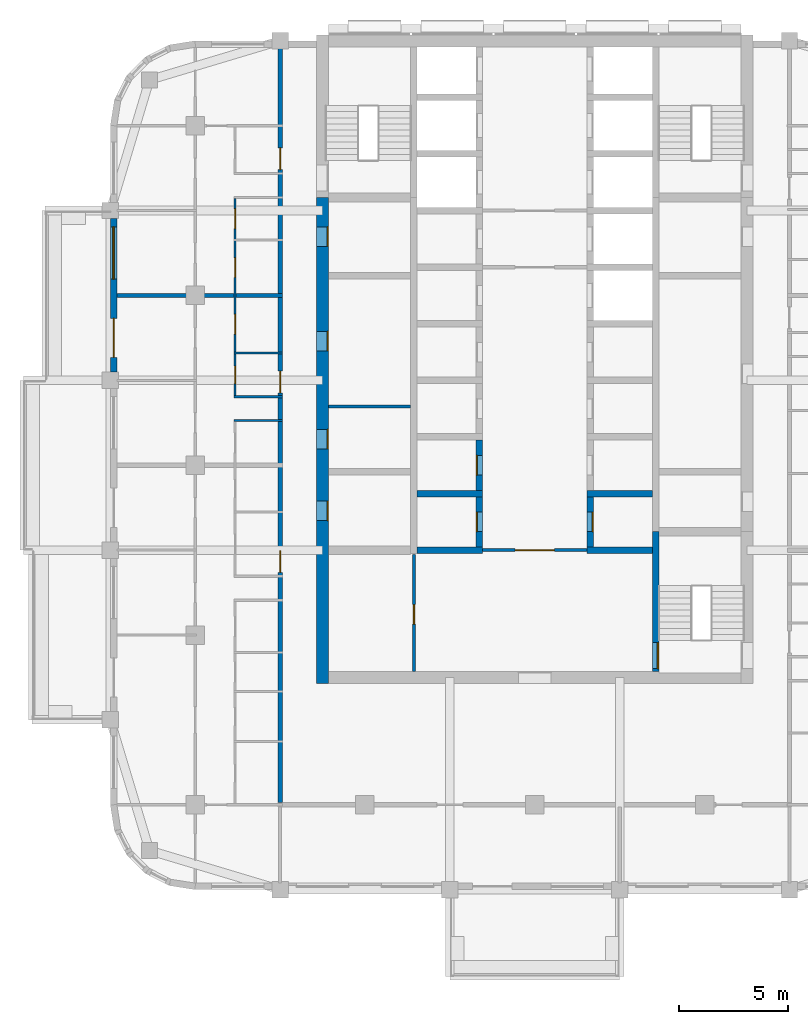
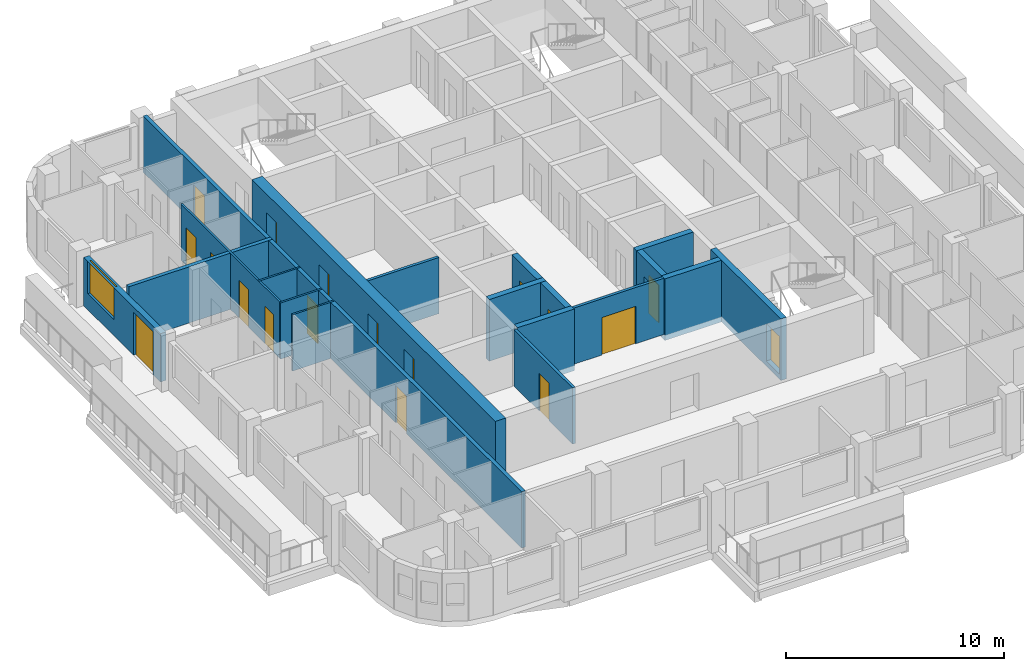
# One storey, part 4 of 13: 19 walls, 18 doors, 1 window, 19 openings.
"""IFC4 building model written with IfcOpenShell, lengths in metres."""

from ifc_helpers import new_model, si_unit, direction, frame, frame_2d, origin, place, context, subcontext, project, spatial, rectangle, extrude, material, layer, layer_set, type_object, element, fill, save


model = new_model("IFC4")

# Units and contexts
model_context = context("Model", 3, precision=1e-05, world=origin(), true_north=direction((0.0, 1.0)))
body_context = subcontext(model_context, "Body", "Model", "MODEL_VIEW")
ifc_project = project(units=[si_unit("LENGTHUNIT", "METRE"), si_unit("AREAUNIT", "SQUARE_METRE"), si_unit("VOLUMEUNIT", "CUBIC_METRE"), si_unit("PLANEANGLEUNIT", "RADIAN"), si_unit("MASSUNIT", "GRAM", prefix="KILO")], contexts=[model_context])

# Site, building, storey
site_placement = place(None, origin())
site = spatial("IfcSite", under=ifc_project, at=site_placement, CompositionType="ELEMENT")
building_placement = place(site_placement, origin())
building = spatial("IfcBuilding", under=site, at=building_placement, Name="Ludao Terraces", CompositionType="ELEMENT")
storey_placement = place(building_placement, frame((0.0, 0.0, 179.199951171875)))
storey = spatial("IfcBuildingStorey", under=building, at=storey_placement, Name="L48", CompositionType="ELEMENT", Elevation=179.199951171875)

# Wall, openings, doors
ifc_material_1 = material(Name="Concrete C60", Category="concrete")
ifc_layer_1 = layer(ifc_material_1, 0.550048828125)
ifc_layer_set_1 = layer_set([ifc_layer_1], Name="Core wall 550 C60")
wall_type_1 = type_object("IfcWallType", Name="Core wall 550 C60", PredefinedType="SOLIDWALL", material=ifc_layer_set_1)
wall_1_placement = place(storey_placement, frame((75.25, 54.97509765625, -0.300048828125), z_axis=(0.0, 0.0, 1.0), x_axis=(0.0, 1.0, 0.0)))
wall_1 = element("IfcWall", 1, at=wall_1_placement, inside=storey, type_object=wall_type_1, Name="Core wall L48 outer-W", PredefinedType="SOLIDWALL", context=body_context, shape_type="SweptSolid", body=[
    extrude(rectangle(XDim=22.324951171875, YDim=0.550048828125, at=frame_2d((11.16259765625, 0.0))), origin(), (0.0, 0.0, 1.0), 3.4501953125),
])
opening_1_placement = place(wall_1_placement, frame((7.47509765625, 0.0, 0.300048828125)))
opening_1 = element("IfcOpeningElement", 2, at=opening_1_placement, cuts=wall_1, Name="Opening R17-032", PredefinedType="OPENING", context=body_context, shape_type="SweptSolid", body=[
    extrude(rectangle(XDim=0.89990234375, YDim=2.10009765625, at=frame_2d((0.449951171875, 1.050048828125))), frame((0.0, 0.28515625, 0.0), z_axis=(0.0, -1.0, 0.0), x_axis=(1.0, 0.0, 0.0)), (0.0, 0.0, 1.0), 0.570068359375),
])
opening_2_placement = place(wall_1_placement, frame((10.77490234375, 0.0, 0.300048828125)))
opening_2 = element("IfcOpeningElement", 3, at=opening_2_placement, cuts=wall_1, Name="Opening R17-041", PredefinedType="OPENING", context=body_context, shape_type="SweptSolid", body=[
    extrude(rectangle(XDim=0.89990234375, YDim=2.10009765625, at=frame_2d((0.449951171875, 1.050048828125))), frame((0.0, 0.28515625, 0.0), z_axis=(0.0, -1.0, 0.0), x_axis=(1.0, 0.0, 0.0)), (0.0, 0.0, 1.0), 0.570068359375),
])
opening_3_placement = place(wall_1_placement, frame((15.27490234375, 0.0, 0.300048828125)))
opening_3 = element("IfcOpeningElement", 4, at=opening_3_placement, cuts=wall_1, Name="Opening R17-051", PredefinedType="OPENING", context=body_context, shape_type="SweptSolid", body=[
    extrude(rectangle(XDim=0.89990234375, YDim=2.10009765625, at=frame_2d((0.449951171875, 1.050048828125))), frame((0.0, 0.28515625, 0.0), z_axis=(0.0, -1.0, 0.0), x_axis=(1.0, 0.0, 0.0)), (0.0, 0.0, 1.0), 0.570068359375),
])
opening_4_placement = place(wall_1_placement, frame((20.074951171875, 0.0, 0.300048828125)))
opening_4 = element("IfcOpeningElement", 5, at=opening_4_placement, cuts=wall_1, Name="Opening R17-066", PredefinedType="OPENING", context=body_context, shape_type="SweptSolid", body=[
    extrude(rectangle(XDim=0.89990234375, YDim=2.10009765625, at=frame_2d((0.449951171875, 1.050048828125))), frame((0.0, 0.28515625, 0.0), z_axis=(0.0, -1.0, 0.0), x_axis=(1.0, 0.0, 0.0)), (0.0, 0.0, 1.0), 0.570068359375),
])
ifc_material_2 = material(Name="Steel Q235", Category="steel")
door_type_1 = type_object("IfcDoorType", Name="INT Riser door 900", OperationType="SINGLE_SWING_LEFT", PredefinedType="DOOR", material=ifc_material_2)
door_1_placement = place(opening_1_placement, origin())
door_1 = element("IfcDoor", 6, at=door_1_placement, inside=storey, type_object=door_type_1, Name="DOOR 032", OperationType="SINGLE_SWING_RIGHT", OverallHeight=2.10009765625, OverallWidth=0.89990234375, PredefinedType="DOOR", context=body_context, shape_type="SweptSolid", body=[
    extrude(rectangle(XDim=0.89990234375, YDim=2.10009765625, at=frame_2d((0.449951171875, 1.050048828125))), frame((0.0, -0.2099609375, 0.0), z_axis=(0.0, -1.0, 0.0), x_axis=(1.0, 0.0, 0.0)), (0.0, 0.0, 1.0), 0.050048828125),
])
fill(opening_1, door_1)
door_2_placement = place(opening_4_placement, origin())
door_2 = element("IfcDoor", 7, at=door_2_placement, inside=storey, type_object=door_type_1, Name="DOOR 066", OperationType="SINGLE_SWING_RIGHT", OverallHeight=2.10009765625, OverallWidth=0.89990234375, PredefinedType="DOOR", context=body_context, shape_type="SweptSolid", body=[
    extrude(rectangle(XDim=0.89990234375, YDim=2.10009765625, at=frame_2d((0.449951171875, 1.050048828125))), frame((0.0, -0.2099609375, 0.0), z_axis=(0.0, -1.0, 0.0), x_axis=(1.0, 0.0, 0.0)), (0.0, 0.0, 1.0), 0.050048828125),
])
fill(opening_4, door_2)
ifc_material_3 = material(Name="Timber door leaf", Category="wood")
door_type_2 = type_object("IfcDoorType", Name="INT Room door 900", OperationType="SINGLE_SWING_LEFT", PredefinedType="DOOR", material=ifc_material_3)
door_3_placement = place(opening_2_placement, origin())
door_3 = element("IfcDoor", 8, at=door_3_placement, inside=storey, type_object=door_type_2, Name="DOOR 041", OperationType="SINGLE_SWING_RIGHT", OverallHeight=2.10009765625, OverallWidth=0.89990234375, PredefinedType="DOOR", context=body_context, shape_type="SweptSolid", body=[
    extrude(rectangle(XDim=0.89990234375, YDim=2.10009765625, at=frame_2d((0.449951171875, 1.050048828125))), frame((0.0, -0.2099609375, 0.0), z_axis=(0.0, -1.0, 0.0), x_axis=(1.0, 0.0, 0.0)), (0.0, 0.0, 1.0), 0.050048828125),
])
fill(opening_2, door_3)
door_4_placement = place(opening_3_placement, origin())
door_4 = element("IfcDoor", 9, at=door_4_placement, inside=storey, type_object=door_type_2, Name="DOOR 051", OperationType="SINGLE_SWING_LEFT", OverallHeight=2.10009765625, OverallWidth=0.89990234375, PredefinedType="DOOR", context=body_context, shape_type="SweptSolid", body=[
    extrude(rectangle(XDim=0.89990234375, YDim=2.10009765625, at=frame_2d((0.449951171875, 1.050048828125))), frame((0.0, -0.2099609375, 0.0), z_axis=(0.0, -1.0, 0.0), x_axis=(1.0, 0.0, 0.0)), (0.0, 0.0, 1.0), 0.050048828125),
])
fill(opening_3, door_4)

# Wall, openings, door, window
ifc_material_4 = material(Name="Granite cladding", Category="masonry")
ifc_layer_2 = layer(ifc_material_4, 0.0400390625, Category="stone")
ifc_material_5 = material(Name="Mineral wool")
ifc_layer_3 = layer(ifc_material_5, 0.06005859375)
ifc_material_6 = material(Name="Concrete C40", Category="concrete")
ifc_layer_4 = layer(ifc_material_6, 0.199951171875, Category="concrete")
ifc_layer_set_2 = layer_set([ifc_layer_2, ifc_layer_3, ifc_layer_4], Name="ENV Stone-clad wall 300")
wall_type_2 = type_object("IfcWallType", Name="ENV Stone-clad wall 300", PredefinedType="SOLIDWALL", material=ifc_layer_set_2)
wall_2_placement = place(storey_placement, frame((65.64990234375, 69.27490234375, 0.0), z_axis=(0.0, 0.0, 1.0), x_axis=(0.0, 1.0, 0.0)))
wall_2 = element("IfcWall", 10, at=wall_2_placement, inside=storey, type_object=wall_type_2, Name="EW-L48-W4", PredefinedType="SOLIDWALL", context=body_context, shape_type="SweptSolid", body=[
    extrude(rectangle(XDim=7.050048828125, YDim=0.300048828125, at=frame_2d((3.52490234375, 0.0))), origin(), (0.0, 0.0, 1.0), 2.699951171875),
])
opening_5_placement = place(wall_2_placement, frame((0.675048828125, 0.0, 0.0)))
opening_5 = element("IfcOpeningElement", 11, at=opening_5_placement, cuts=wall_2, Name="Opening BD", PredefinedType="OPENING", context=body_context, shape_type="SweptSolid", body=[
    extrude(rectangle(XDim=1.800048828125, YDim=2.39990234375, at=frame_2d((0.89990234375, 1.199951171875))), frame((0.0, 0.16015625, 0.0), z_axis=(0.0, -1.0, 0.0), x_axis=(1.0, 0.0, 0.0)), (0.0, 0.0, 1.0), 0.320068359375),
])
opening_6_placement = place(wall_2_placement, frame((4.27490234375, 0.0, 0.89990234375)))
opening_6 = element("IfcOpeningElement", 12, at=opening_6_placement, cuts=wall_2, Name="Opening W1", PredefinedType="OPENING", context=body_context, shape_type="SweptSolid", body=[
    extrude(rectangle(XDim=2.39990234375, YDim=1.800048828125, at=frame_2d((1.199951171875, 0.89990234375))), frame((0.0, 0.16015625, 0.0), z_axis=(0.0, -1.0, 0.0), x_axis=(1.0, 0.0, 0.0)), (0.0, 0.0, 1.0), 0.320068359375),
])
ifc_material_7 = material(Name="Aluminium glazed door", Category="aluminium")
ifc_layer_5 = layer(ifc_material_7, 0.06005859375)
ifc_layer_set_3 = layer_set([ifc_layer_5], Name="ENV Balcony door BD 1800x2400")
door_type_3 = type_object("IfcDoorType", Name="ENV Balcony door BD 1800x2400", OperationType="DOUBLE_DOOR_SINGLE_SWING", PredefinedType="DOOR", material=ifc_layer_set_3)
door_5_placement = place(opening_5_placement, origin())
door_5 = element("IfcDoor", 13, at=door_5_placement, inside=storey, type_object=door_type_3, Name="BD-L48-W4-1", OperationType="DOUBLE_DOOR_SINGLE_SWING", OverallHeight=2.39990234375, OverallWidth=1.800048828125, PredefinedType="DOOR", context=body_context, shape_type="SweptSolid", body=[
    extrude(rectangle(XDim=1.800048828125, YDim=2.39990234375, at=frame_2d((0.89990234375, 1.199951171875))), frame((0.0, 0.02490234375, 0.0), z_axis=(0.0, -1.0, 0.0), x_axis=(1.0, 0.0, 0.0)), (0.0, 0.0, 1.0), 0.050048828125),
])
fill(opening_5, door_5)
ifc_material_8 = material(Name="Clear glass in aluminium frame", Category="aluminium")
ifc_layer_6 = layer(ifc_material_8, 0.06005859375)
ifc_layer_set_4 = layer_set([ifc_layer_6], Name="ENV Window W1 2400x1800")
window_type = type_object("IfcWindowType", Name="ENV Window W1 2400x1800", PartitioningType="DOUBLE_PANEL_VERTICAL", PredefinedType="WINDOW", material=ifc_layer_set_4)
window_placement = place(opening_6_placement, origin())
window = element("IfcWindow", 14, at=window_placement, inside=storey, type_object=window_type, Name="W-L48-W4-2", OverallHeight=1.800048828125, OverallWidth=2.39990234375, PartitioningType="DOUBLE_PANEL_VERTICAL", PredefinedType="WINDOW", context=body_context, shape_type="SweptSolid", body=[
    extrude(rectangle(XDim=2.39990234375, YDim=1.800048828125, at=frame_2d((1.199951171875, 0.89990234375))), frame((0.0, 0.030029296875, 0.0), z_axis=(0.0, -1.0, 0.0), x_axis=(1.0, 0.0, 0.0)), (0.0, 0.0, 1.0), 0.06005859375),
])
fill(opening_6, window)

# Wall, opening, door
ifc_material_9 = material(Name="Fire-rated gypsum plasterboard", Category="gypsum")
ifc_layer_7 = layer(ifc_material_9, 0.012451171875, Category="gypsum")
ifc_layer_8 = layer(ifc_material_5, 0.10009765625, Name="insulation")
ifc_layer_9 = layer(ifc_material_2, 0.02490234375, Name="stud")
ifc_layer_10 = layer(ifc_material_9, 0.012451171875, Category="gypsum")
ifc_layer_set_5 = layer_set([ifc_layer_7, ifc_layer_8, ifc_layer_9, ifc_layer_10], Name="INT Core partition 150")
wall_type_3 = type_object("IfcWallType", Name="INT Core partition 150", PredefinedType="PARTITIONING", material=ifc_layer_set_5)
wall_3_placement = place(storey_placement, frame((82.60009765625, 61.10009765625, 0.0), z_axis=(0.0, 0.0, 1.0), x_axis=(1.0, 0.0, 0.0)))
wall_3 = element("IfcWall", 15, at=wall_3_placement, inside=storey, type_object=wall_type_3, Name="PW-L48-PW017", PredefinedType="PARTITIONING", context=body_context, shape_type="SweptSolid", body=[
    extrude(rectangle(XDim=4.800048828125, YDim=0.14990234375, at=frame_2d((2.39990234375, 0.0))), origin(), (0.0, 0.0, 1.0), 3.150146484375),
])
opening_7_placement = place(wall_3_placement, frame((1.5, 0.0, 0.0)))
opening_7 = element("IfcOpeningElement", 16, at=opening_7_placement, cuts=wall_3, Name="Opening R17-027", PredefinedType="OPENING", context=body_context, shape_type="SweptSolid", body=[
    extrude(rectangle(XDim=1.800048828125, YDim=2.10009765625, at=frame_2d((0.89990234375, 1.050048828125))), frame((0.0, 0.0849609375, 0.0), z_axis=(0.0, -1.0, 0.0), x_axis=(1.0, 0.0, 0.0)), (0.0, 0.0, 1.0), 0.169921875),
])
door_type_4 = type_object("IfcDoorType", Name="INT Fire lobby door 1800", OperationType="DOUBLE_DOOR_SINGLE_SWING", PredefinedType="DOOR", material=ifc_material_2)
door_6_placement = place(opening_7_placement, origin())
door_6 = element("IfcDoor", 17, at=door_6_placement, inside=storey, type_object=door_type_4, Name="DOOR 027", OperationType="DOUBLE_DOOR_SINGLE_SWING", OverallHeight=2.10009765625, OverallWidth=1.800048828125, PredefinedType="DOOR", context=body_context, shape_type="SweptSolid", body=[
    extrude(rectangle(XDim=1.800048828125, YDim=2.10009765625, at=frame_2d((0.89990234375, 1.050048828125))), frame((0.0, 0.02490234375, 0.0), z_axis=(0.0, -1.0, 0.0), x_axis=(1.0, 0.0, 0.0)), (0.0, 0.0, 1.0), 0.050048828125),
])
fill(opening_7, door_6)

# Wall
wall_4_placement = place(storey_placement, frame((75.525146484375, 67.699951171875, 0.0), z_axis=(0.0, 0.0, 1.0), x_axis=(1.0, 0.0, 0.0)))
element("IfcWall", 18, at=wall_4_placement, inside=storey, type_object=wall_type_3, Name="PW-L48-PW024", PredefinedType="PARTITIONING", context=body_context, shape_type="SweptSolid", body=[
    extrude(rectangle(XDim=3.77490234375, YDim=0.14990234375, at=frame_2d((1.887451171875, 0.0))), origin(), (0.0, 0.0, 1.0), 3.150146484375),
])

# Wall, opening, door
wall_5_placement = place(storey_placement, frame((79.449951171875, 55.525146484375, 0.0), z_axis=(0.0, 0.0, 1.0), x_axis=(0.0, 1.0, 0.0)))
wall_5 = element("IfcWall", 19, at=wall_5_placement, inside=storey, type_object=wall_type_3, Name="PW-L48-PW053", PredefinedType="PARTITIONING", context=body_context, shape_type="SweptSolid", body=[
    extrude(rectangle(XDim=5.375, YDim=0.14990234375, at=frame_2d((2.6875, 0.0))), origin(), (0.0, 0.0, 1.0), 3.150146484375),
])
opening_8_placement = place(wall_5_placement, frame((2.175048828125, 0.0, 0.0)))
opening_8 = element("IfcOpeningElement", 20, at=opening_8_placement, cuts=wall_5, Name="Opening R17-021", PredefinedType="OPENING", context=body_context, shape_type="SweptSolid", body=[
    extrude(rectangle(XDim=0.89990234375, YDim=2.10009765625, at=frame_2d((0.449951171875, 1.050048828125))), frame((0.0, 0.0849609375, 0.0), z_axis=(0.0, -1.0, 0.0), x_axis=(1.0, 0.0, 0.0)), (0.0, 0.0, 1.0), 0.169921875),
])
door_7_placement = place(opening_8_placement, origin())
door_7 = element("IfcDoor", 21, at=door_7_placement, inside=storey, type_object=door_type_2, Name="DOOR 021", OperationType="SINGLE_SWING_LEFT", OverallHeight=2.10009765625, OverallWidth=0.89990234375, PredefinedType="DOOR", context=body_context, shape_type="SweptSolid", body=[
    extrude(rectangle(XDim=0.89990234375, YDim=2.10009765625, at=frame_2d((0.449951171875, 1.050048828125))), frame((0.0, 0.02490234375, 0.0), z_axis=(0.0, -1.0, 0.0), x_axis=(1.0, 0.0, 0.0)), (0.0, 0.0, 1.0), 0.050048828125),
])
fill(opening_8, door_7)

# Wall, openings, doors
ifc_material_10 = material(Name="Autoclaved aerated concrete block B06 A3.5", Category="concrete")
ifc_layer_11 = layer(ifc_material_10, 0.199951171875)
ifc_layer_set_6 = layer_set([ifc_layer_11], Name="INT Entrance wall 200")
wall_type_4 = type_object("IfcWallType", Name="INT Entrance wall 200", PredefinedType="PARTITIONING", material=ifc_layer_set_6)
wall_6_placement = place(storey_placement, frame((73.300048828125, 49.5, 0.0), z_axis=(0.0, 0.0, 1.0), x_axis=(0.0, 1.0, 0.0)))
wall_6 = element("IfcWall", 22, at=wall_6_placement, inside=storey, type_object=wall_type_4, Name="PW-L48-PW052", PredefinedType="PARTITIONING", context=body_context, shape_type="SweptSolid", body=[
    extrude(rectangle(XDim=34.7001953125, YDim=0.199951171875, at=frame_2d((17.35009765625, 0.0))), origin(), (0.0, 0.0, 1.0), 3.150146484375),
])
opening_9_placement = place(wall_6_placement, frame((10.5751953125, 0.0, 0.0)))
opening_9 = element("IfcOpeningElement", 23, at=opening_9_placement, cuts=wall_6, Name="Opening R17-026", PredefinedType="OPENING", context=body_context, shape_type="SweptSolid", body=[
    extrude(rectangle(XDim=1.0, YDim=2.10009765625, at=frame_2d((0.5, 1.050048828125))), frame((0.0, 0.10986328125, 0.0), z_axis=(0.0, -1.0, 0.0), x_axis=(1.0, 0.0, 0.0)), (0.0, 0.0, 1.0), 0.219970703125),
])
opening_10_placement = place(wall_6_placement, frame((18.8251953125, 0.0, 0.0)))
opening_10 = element("IfcOpeningElement", 24, at=opening_10_placement, cuts=wall_6, Name="Opening R17-046", PredefinedType="OPENING", context=body_context, shape_type="SweptSolid", body=[
    extrude(rectangle(XDim=1.0, YDim=2.10009765625, at=frame_2d((0.5, 1.050048828125))), frame((0.0, 0.10986328125, 0.0), z_axis=(0.0, -1.0, 0.0), x_axis=(1.0, 0.0, 0.0)), (0.0, 0.0, 1.0), 0.219970703125),
])
opening_11_placement = place(wall_6_placement, frame((29.0751953125, 0.0, 0.0)))
opening_11 = element("IfcOpeningElement", 25, at=opening_11_placement, cuts=wall_6, Name="Opening R17-079", PredefinedType="OPENING", context=body_context, shape_type="SweptSolid", body=[
    extrude(rectangle(XDim=1.0, YDim=2.10009765625, at=frame_2d((0.5, 1.050048828125))), frame((0.0, 0.10986328125, 0.0), z_axis=(0.0, -1.0, 0.0), x_axis=(1.0, 0.0, 0.0)), (0.0, 0.0, 1.0), 0.219970703125),
])
door_type_5 = type_object("IfcDoorType", Name="INT Flat entrance door 1000", OperationType="SINGLE_SWING_LEFT", PredefinedType="DOOR", material=ifc_material_2)
door_8_placement = place(opening_9_placement, origin())
door_8 = element("IfcDoor", 26, at=door_8_placement, inside=storey, type_object=door_type_5, Name="DOOR 026", OperationType="SINGLE_SWING_RIGHT", OverallHeight=2.10009765625, OverallWidth=1.0, PredefinedType="DOOR", context=body_context, shape_type="SweptSolid", body=[
    extrude(rectangle(XDim=1.0, YDim=2.10009765625, at=frame_2d((0.5, 1.050048828125))), frame((0.0, 0.02490234375, 0.0), z_axis=(0.0, -1.0, 0.0), x_axis=(1.0, 0.0, 0.0)), (0.0, 0.0, 1.0), 0.050048828125),
])
fill(opening_9, door_8)
door_9_placement = place(opening_10_placement, origin())
door_9 = element("IfcDoor", 27, at=door_9_placement, inside=storey, type_object=door_type_5, Name="DOOR 046", OperationType="SINGLE_SWING_RIGHT", OverallHeight=2.10009765625, OverallWidth=1.0, PredefinedType="DOOR", context=body_context, shape_type="SweptSolid", body=[
    extrude(rectangle(XDim=1.0, YDim=2.10009765625, at=frame_2d((0.5, 1.050048828125))), frame((0.0, 0.02490234375, 0.0), z_axis=(0.0, -1.0, 0.0), x_axis=(1.0, 0.0, 0.0)), (0.0, 0.0, 1.0), 0.050048828125),
])
fill(opening_10, door_9)
door_10_placement = place(opening_11_placement, origin())
door_10 = element("IfcDoor", 28, at=door_10_placement, inside=storey, type_object=door_type_5, Name="DOOR 079", OperationType="SINGLE_SWING_RIGHT", OverallHeight=2.10009765625, OverallWidth=1.0, PredefinedType="DOOR", context=body_context, shape_type="SweptSolid", body=[
    extrude(rectangle(XDim=1.0, YDim=2.10009765625, at=frame_2d((0.5, 1.050048828125))), frame((0.0, 0.02490234375, 0.0), z_axis=(0.0, -1.0, 0.0), x_axis=(1.0, 0.0, 0.0)), (0.0, 0.0, 1.0), 0.050048828125),
])
fill(opening_11, door_10)

# Walls
ifc_material_11 = material(Name="Gypsum plasterboard", Category="gypsum")
ifc_layer_12 = layer(ifc_material_11, 0.012451171875, Category="gypsum")
ifc_layer_13 = layer(ifc_material_5, 0.06005859375, Name="insulation")
ifc_layer_14 = layer(ifc_material_2, 0.014892578125, Name="stud")
ifc_layer_15 = layer(ifc_material_11, 0.012451171875, Category="gypsum")
ifc_layer_set_7 = layer_set([ifc_layer_12, ifc_layer_13, ifc_layer_14, ifc_layer_15], Name="INT Partition 100")
wall_type_5 = type_object("IfcWallType", Name="INT Partition 100", PredefinedType="PARTITIONING", material=ifc_layer_set_7)
for number, where, z_axis, x_axis, name in (
    (29, (71.18017578125, 67.050048828125, 0.0), (0.0, 0.0, 1.0), (1.0, 0.0, 0.0), "PW-L48-PW022"),
    (30, (71.18017578125, 68.14990234375, 0.0), (0.0, 0.0, 1.0), (1.0, 0.0, 0.0), "PW-L48-PW025"),
    (31, (71.18017578125, 70.14990234375, 0.0), (0.0, 0.0, 1.0), (1.0, 0.0, 0.0), "PW-L48-PW029"),
):
    element("IfcWall", number, at=place(storey_placement, frame(where, z_axis=z_axis, x_axis=x_axis)), inside=storey, type_object=wall_type_5, Name=name, PredefinedType="PARTITIONING", context=body_context, shape_type="SweptSolid", body=[
        extrude(rectangle(XDim=2.219970703125, YDim=0.10009765625, at=frame_2d((1.10986328125, 0.0))), origin(), (0.0, 0.0, 1.0), 3.150146484375),
    ])

# Wall, openings, doors
wall_7_placement = place(storey_placement, frame((71.22998046875, 68.2001953125, 0.0), z_axis=(0.0, 0.0, 1.0), x_axis=(0.0, 1.0, 0.0)))
wall_7 = element("IfcWall", 32, at=wall_7_placement, inside=storey, type_object=wall_type_5, Name="PW-L48-PW049", PredefinedType="PARTITIONING", context=body_context, shape_type="SweptSolid", body=[
    extrude(rectangle(XDim=9.0498046875, YDim=0.10009765625, at=frame_2d((4.52490234375, 0.0))), origin(), (0.0, 0.0, 1.0), 3.150146484375),
])
opening_12_placement = place(wall_7_placement, frame((0.5498046875, 0.0, 0.0)))
opening_12 = element("IfcOpeningElement", 33, at=opening_12_placement, cuts=wall_7, Name="Opening R17-047", PredefinedType="OPENING", context=body_context, shape_type="SweptSolid", body=[
    extrude(rectangle(XDim=0.800048828125, YDim=2.10009765625, at=frame_2d((0.39990234375, 1.050048828125))), frame((0.0, 0.06005859375, 0.0), z_axis=(0.0, -1.0, 0.0), x_axis=(1.0, 0.0, 0.0)), (0.0, 0.0, 1.0), 0.1201171875),
])
opening_13_placement = place(wall_7_placement, frame((2.824951171875, 0.0, 0.0)))
opening_13 = element("IfcOpeningElement", 34, at=opening_13_placement, cuts=wall_7, Name="Opening R17-054", PredefinedType="OPENING", context=body_context, shape_type="SweptSolid", body=[
    extrude(rectangle(XDim=0.89990234375, YDim=2.10009765625, at=frame_2d((0.449951171875, 1.050048828125))), frame((0.0, 0.06005859375, 0.0), z_axis=(0.0, -1.0, 0.0), x_axis=(1.0, 0.0, 0.0)), (0.0, 0.0, 1.0), 0.1201171875),
])
opening_14_placement = place(wall_7_placement, frame((5.4248046875, 0.0, 0.0)))
opening_14 = element("IfcOpeningElement", 35, at=opening_14_placement, cuts=wall_7, Name="Opening R17-060", PredefinedType="OPENING", context=body_context, shape_type="SweptSolid", body=[
    extrude(rectangle(XDim=0.89990234375, YDim=2.10009765625, at=frame_2d((0.449951171875, 1.050048828125))), frame((0.0, 0.06005859375, 0.0), z_axis=(0.0, -1.0, 0.0), x_axis=(1.0, 0.0, 0.0)), (0.0, 0.0, 1.0), 0.1201171875),
])
opening_15_placement = place(wall_7_placement, frame((7.6748046875, 0.0, 0.0)))
opening_15 = element("IfcOpeningElement", 36, at=opening_15_placement, cuts=wall_7, Name="Opening R17-069", PredefinedType="OPENING", context=body_context, shape_type="SweptSolid", body=[
    extrude(rectangle(XDim=0.89990234375, YDim=2.10009765625, at=frame_2d((0.449951171875, 1.050048828125))), frame((0.0, 0.06005859375, 0.0), z_axis=(0.0, -1.0, 0.0), x_axis=(1.0, 0.0, 0.0)), (0.0, 0.0, 1.0), 0.1201171875),
])
door_type_6 = type_object("IfcDoorType", Name="INT Bathroom door 900", OperationType="SINGLE_SWING_LEFT", PredefinedType="DOOR", material=ifc_material_3)
door_11_placement = place(opening_15_placement, origin())
door_11 = element("IfcDoor", 37, at=door_11_placement, inside=storey, type_object=door_type_6, Name="DOOR 069", OperationType="SINGLE_SWING_RIGHT", OverallHeight=2.10009765625, OverallWidth=0.89990234375, PredefinedType="DOOR", context=body_context, shape_type="SweptSolid", body=[
    extrude(rectangle(XDim=0.89990234375, YDim=2.10009765625, at=frame_2d((0.449951171875, 1.050048828125))), frame((0.0, 0.02490234375, 0.0), z_axis=(0.0, -1.0, 0.0), x_axis=(1.0, 0.0, 0.0)), (0.0, 0.0, 1.0), 0.050048828125),
])
fill(opening_15, door_11)
door_12_placement = place(opening_13_placement, origin())
door_12 = element("IfcDoor", 38, at=door_12_placement, inside=storey, type_object=door_type_2, Name="DOOR 054", OperationType="SINGLE_SWING_RIGHT", OverallHeight=2.10009765625, OverallWidth=0.89990234375, PredefinedType="DOOR", context=body_context, shape_type="SweptSolid", body=[
    extrude(rectangle(XDim=0.89990234375, YDim=2.10009765625, at=frame_2d((0.449951171875, 1.050048828125))), frame((0.0, 0.02490234375, 0.0), z_axis=(0.0, -1.0, 0.0), x_axis=(1.0, 0.0, 0.0)), (0.0, 0.0, 1.0), 0.050048828125),
])
fill(opening_13, door_12)
door_13_placement = place(opening_14_placement, origin())
door_13 = element("IfcDoor", 39, at=door_13_placement, inside=storey, type_object=door_type_2, Name="DOOR 060", OperationType="SINGLE_SWING_RIGHT", OverallHeight=2.10009765625, OverallWidth=0.89990234375, PredefinedType="DOOR", context=body_context, shape_type="SweptSolid", body=[
    extrude(rectangle(XDim=0.89990234375, YDim=2.10009765625, at=frame_2d((0.449951171875, 1.050048828125))), frame((0.0, 0.02490234375, 0.0), z_axis=(0.0, -1.0, 0.0), x_axis=(1.0, 0.0, 0.0)), (0.0, 0.0, 1.0), 0.050048828125),
])
fill(opening_14, door_13)
door_type_7 = type_object("IfcDoorType", Name="INT Store door 800", OperationType="SINGLE_SWING_LEFT", PredefinedType="DOOR", material=ifc_material_3)
door_14_placement = place(opening_12_placement, origin())
door_14 = element("IfcDoor", 40, at=door_14_placement, inside=storey, type_object=door_type_7, Name="DOOR 047", OperationType="SINGLE_SWING_RIGHT", OverallHeight=2.10009765625, OverallWidth=0.800048828125, PredefinedType="DOOR", context=body_context, shape_type="SweptSolid", body=[
    extrude(rectangle(XDim=0.800048828125, YDim=2.10009765625, at=frame_2d((0.39990234375, 1.050048828125))), frame((0.0, 0.02490234375, 0.0), z_axis=(0.0, -1.0, 0.0), x_axis=(1.0, 0.0, 0.0)), (0.0, 0.0, 1.0), 0.050048828125),
])
fill(opening_12, door_14)

# Wall
ifc_layer_16 = layer(ifc_material_10, 0.199951171875)
ifc_layer_set_8 = layer_set([ifc_layer_16], Name="INT Party wall 200")
wall_type_6 = type_object("IfcWallType", Name="INT Party wall 200", PredefinedType="PARTITIONING", material=ifc_layer_set_8)
wall_8_placement = place(storey_placement, frame((65.800048828125, 72.800048828125, 0.0), z_axis=(0.0, 0.0, 1.0), x_axis=(1.0, 0.0, 0.0)))
element("IfcWall", 41, at=wall_8_placement, inside=storey, type_object=wall_type_6, Name="PW-L48-PW031", PredefinedType="PARTITIONING", context=body_context, shape_type="SweptSolid", body=[
    extrude(rectangle(XDim=7.60009765625, YDim=0.199951171875, at=frame_2d((3.800048828125, 0.0))), origin(), (0.0, 0.0, 1.0), 3.150146484375),
])

# Wall, opening, door
ifc_material_12 = material(Name="Concrete C55", Category="concrete")
ifc_layer_17 = layer(ifc_material_12, 0.300048828125)
ifc_layer_set_9 = layer_set([ifc_layer_17], Name="Shaft wall 300 C55")
wall_type_7 = type_object("IfcWallType", Name="Shaft wall 300 C55", PredefinedType="SOLIDWALL", material=ifc_layer_set_9)
wall_9_placement = place(storey_placement, frame((90.550048828125, 55.52490234375, -0.300048828125), z_axis=(0.0, 0.0, 1.0), x_axis=(0.0, 1.0, 0.0)))
wall_9 = element("IfcWall", 42, at=wall_9_placement, inside=storey, type_object=wall_type_7, Name="Core wall L48 back-E-S3", PredefinedType="SOLIDWALL", context=body_context, shape_type="SweptSolid", body=[
    extrude(rectangle(XDim=6.425048828125, YDim=0.300048828125, at=frame_2d((3.21240234375, 0.0))), origin(), (0.0, 0.0, 1.0), 3.4501953125),
])
opening_16_placement = place(wall_9_placement, frame((0.125, 0.0, 0.300048828125)))
opening_16 = element("IfcOpeningElement", 43, at=opening_16_placement, cuts=wall_9, Name="Opening R17-016", PredefinedType="OPENING", context=body_context, shape_type="SweptSolid", body=[
    extrude(rectangle(XDim=1.199951171875, YDim=2.10009765625, at=frame_2d((0.60009765625, 1.050048828125))), frame((0.0, 0.16015625, 0.0), z_axis=(0.0, -1.0, 0.0), x_axis=(1.0, 0.0, 0.0)), (0.0, 0.0, 1.0), 0.320068359375),
])
door_type_8 = type_object("IfcDoorType", Name="INT Stair door 1200", OperationType="DOUBLE_DOOR_SINGLE_SWING", PredefinedType="DOOR", material=ifc_material_2)
door_15_placement = place(opening_16_placement, origin())
door_15 = element("IfcDoor", 44, at=door_15_placement, inside=storey, type_object=door_type_8, Name="DOOR 016", OperationType="DOUBLE_DOOR_SINGLE_SWING", OverallHeight=2.10009765625, OverallWidth=1.199951171875, PredefinedType="DOOR", context=body_context, shape_type="SweptSolid", body=[
    extrude(rectangle(XDim=1.199951171875, YDim=2.10009765625, at=frame_2d((0.60009765625, 1.050048828125))), frame((0.0, -0.0849609375, 0.0), z_axis=(0.0, -1.0, 0.0), x_axis=(1.0, 0.0, 0.0)), (0.0, 0.0, 1.0), 0.050048828125),
])
fill(opening_16, door_15)

# Wall
wall_10_placement = place(storey_placement, frame((79.60009765625, 61.10009765625, -0.300048828125), z_axis=(0.0, 0.0, 1.0), x_axis=(1.0, 0.0, 0.0)))
element("IfcWall", 45, at=wall_10_placement, inside=storey, type_object=wall_type_7, Name="Core wall L48 div-W1", PredefinedType="SOLIDWALL", context=body_context, shape_type="SweptSolid", body=[
    extrude(rectangle(XDim=3.0, YDim=0.300048828125, at=frame_2d((1.5, 0.0))), origin(), (0.0, 0.0, 1.0), 3.4501953125),
])

# Wall, opening, door
wall_11_placement = place(storey_placement, frame((82.449951171875, 61.25, -0.300048828125), z_axis=(0.0, 0.0, 1.0), x_axis=(0.0, 1.0, 0.0)))
wall_11 = element("IfcWall", 46, at=wall_11_placement, inside=storey, type_object=wall_type_7, Name="Core wall L48 front-W1", PredefinedType="SOLIDWALL", context=body_context, shape_type="SweptSolid", body=[
    extrude(rectangle(XDim=2.300048828125, YDim=0.300048828125, at=frame_2d((1.14990234375, 0.0))), origin(), (0.0, 0.0, 1.0), 3.4501953125),
])
opening_17_placement = place(wall_11_placement, frame((0.699951171875, 0.0, 0.300048828125)))
opening_17 = element("IfcOpeningElement", 47, at=opening_17_placement, cuts=wall_11, Name="Opening R17-029", PredefinedType="OPENING", context=body_context, shape_type="SweptSolid", body=[
    extrude(rectangle(XDim=0.89990234375, YDim=2.10009765625, at=frame_2d((0.449951171875, 1.050048828125))), frame((0.0, 0.16015625, 0.0), z_axis=(0.0, -1.0, 0.0), x_axis=(1.0, 0.0, 0.0)), (0.0, 0.0, 1.0), 0.320068359375),
])
door_16_placement = place(opening_17_placement, origin())
door_16 = element("IfcDoor", 48, at=door_16_placement, inside=storey, type_object=door_type_2, Name="DOOR 029", OperationType="SINGLE_SWING_RIGHT", OverallHeight=2.10009765625, OverallWidth=0.89990234375, PredefinedType="DOOR", context=body_context, shape_type="SweptSolid", body=[
    extrude(rectangle(XDim=0.89990234375, YDim=2.10009765625, at=frame_2d((0.449951171875, 1.050048828125))), frame((0.0, 0.13525390625, 0.0), z_axis=(0.0, -1.0, 0.0), x_axis=(1.0, 0.0, 0.0)), (0.0, 0.0, 1.0), 0.050048828125),
])
fill(opening_17, door_16)

# Wall
wall_12_placement = place(storey_placement, frame((79.60009765625, 63.699951171875, -0.300048828125), z_axis=(0.0, 0.0, 1.0), x_axis=(1.0, 0.0, 0.0)))
element("IfcWall", 49, at=wall_12_placement, inside=storey, type_object=wall_type_7, Name="Core wall L48 div-W2", PredefinedType="SOLIDWALL", context=body_context, shape_type="SweptSolid", body=[
    extrude(rectangle(XDim=3.0, YDim=0.300048828125, at=frame_2d((1.5, 0.0))), origin(), (0.0, 0.0, 1.0), 3.4501953125),
])

# Wall, opening, door
wall_13_placement = place(storey_placement, frame((82.449951171875, 63.85009765625, -0.300048828125), z_axis=(0.0, 0.0, 1.0), x_axis=(0.0, 1.0, 0.0)))
wall_13 = element("IfcWall", 50, at=wall_13_placement, inside=storey, type_object=wall_type_7, Name="Core wall L48 front-W2", PredefinedType="SOLIDWALL", context=body_context, shape_type="SweptSolid", body=[
    extrude(rectangle(XDim=2.2998046875, YDim=0.300048828125, at=frame_2d((1.14990234375, 0.0))), origin(), (0.0, 0.0, 1.0), 3.4501953125),
])
opening_18_placement = place(wall_13_placement, frame((0.699951171875, 0.0, 0.300048828125)))
opening_18 = element("IfcOpeningElement", 51, at=opening_18_placement, cuts=wall_13, Name="Opening R17-036", PredefinedType="OPENING", context=body_context, shape_type="SweptSolid", body=[
    extrude(rectangle(XDim=0.89990234375, YDim=2.10009765625, at=frame_2d((0.449951171875, 1.050048828125))), frame((0.0, 0.16015625, 0.0), z_axis=(0.0, -1.0, 0.0), x_axis=(1.0, 0.0, 0.0)), (0.0, 0.0, 1.0), 0.320068359375),
])
door_17_placement = place(opening_18_placement, origin())
door_17 = element("IfcDoor", 52, at=door_17_placement, inside=storey, type_object=door_type_2, Name="DOOR 036", OperationType="SINGLE_SWING_LEFT", OverallHeight=2.10009765625, OverallWidth=0.89990234375, PredefinedType="DOOR", context=body_context, shape_type="SweptSolid", body=[
    extrude(rectangle(XDim=0.89990234375, YDim=2.10009765625, at=frame_2d((0.449951171875, 1.050048828125))), frame((0.0, 0.13525390625, 0.0), z_axis=(0.0, -1.0, 0.0), x_axis=(1.0, 0.0, 0.0)), (0.0, 0.0, 1.0), 0.050048828125),
])
fill(opening_18, door_17)

# Wall
wall_14_placement = place(storey_placement, frame((87.39990234375, 61.10009765625, -0.300048828125), z_axis=(0.0, 0.0, 1.0), x_axis=(1.0, 0.0, 0.0)))
element("IfcWall", 53, at=wall_14_placement, inside=storey, type_object=wall_type_7, Name="Core wall L48 div-E1", PredefinedType="SOLIDWALL", context=body_context, shape_type="SweptSolid", body=[
    extrude(rectangle(XDim=3.0, YDim=0.300048828125, at=frame_2d((1.5, 0.0))), origin(), (0.0, 0.0, 1.0), 3.4501953125),
])

# Wall, opening, door
wall_15_placement = place(storey_placement, frame((87.550048828125, 61.25, -0.300048828125), z_axis=(0.0, 0.0, 1.0), x_axis=(0.0, 1.0, 0.0)))
wall_15 = element("IfcWall", 54, at=wall_15_placement, inside=storey, type_object=wall_type_7, Name="Core wall L48 front-E1", PredefinedType="SOLIDWALL", context=body_context, shape_type="SweptSolid", body=[
    extrude(rectangle(XDim=2.300048828125, YDim=0.300048828125, at=frame_2d((1.14990234375, 0.0))), origin(), (0.0, 0.0, 1.0), 3.4501953125),
])
opening_19_placement = place(wall_15_placement, frame((0.699951171875, 0.0, 0.300048828125)))
opening_19 = element("IfcOpeningElement", 55, at=opening_19_placement, cuts=wall_15, Name="Opening R17-030", PredefinedType="OPENING", context=body_context, shape_type="SweptSolid", body=[
    extrude(rectangle(XDim=0.89990234375, YDim=2.10009765625, at=frame_2d((0.449951171875, 1.050048828125))), frame((0.0, 0.16015625, 0.0), z_axis=(0.0, -1.0, 0.0), x_axis=(1.0, 0.0, 0.0)), (0.0, 0.0, 1.0), 0.320068359375),
])
door_18_placement = place(opening_19_placement, origin())
door_18 = element("IfcDoor", 56, at=door_18_placement, inside=storey, type_object=door_type_2, Name="DOOR 030", OperationType="SINGLE_SWING_LEFT", OverallHeight=2.10009765625, OverallWidth=0.89990234375, PredefinedType="DOOR", context=body_context, shape_type="SweptSolid", body=[
    extrude(rectangle(XDim=0.89990234375, YDim=2.10009765625, at=frame_2d((0.449951171875, 1.050048828125))), frame((0.0, -0.0849609375, 0.0), z_axis=(0.0, -1.0, 0.0), x_axis=(1.0, 0.0, 0.0)), (0.0, 0.0, 1.0), 0.050048828125),
])
fill(opening_19, door_18)

# Wall
wall_16_placement = place(storey_placement, frame((87.39990234375, 63.699951171875, -0.300048828125), z_axis=(0.0, 0.0, 1.0), x_axis=(1.0, 0.0, 0.0)))
element("IfcWall", 57, at=wall_16_placement, inside=storey, type_object=wall_type_7, Name="Core wall L48 div-E2", PredefinedType="SOLIDWALL", context=body_context, shape_type="SweptSolid", body=[
    extrude(rectangle(XDim=3.0, YDim=0.300048828125, at=frame_2d((1.5, 0.0))), origin(), (0.0, 0.0, 1.0), 3.4501953125),
])

save(model, "model.ifc")
